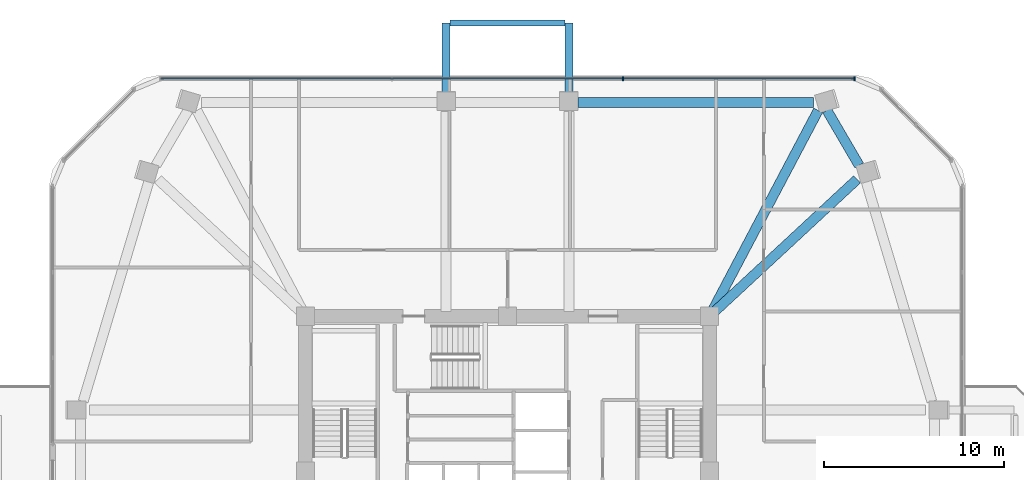
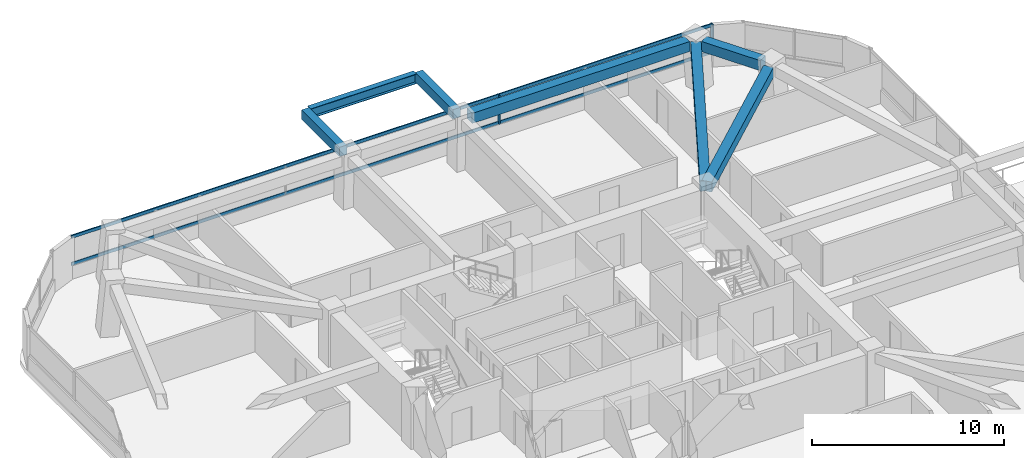
# One storey, part 7 of 14: 7 beams, 4 members, 1 element without a shape of its own.
"""IFC4 building model written with IfcOpenShell, lengths in metres."""

from ifc_helpers import new_model, si_unit, derived_unit, direction, frame, origin, origin_2d, place, context, subcontext, project, spatial, rectangle, i_section, extrude, material, material_profile, profile_set, type_object, element, aggregate, save


model = new_model("IFC4")

# Units and contexts
model_context = context("Model", 3, precision=1e-05, world=origin(), true_north=direction((0.0, 1.0)))
body_context = subcontext(model_context, "Body", "Model", "MODEL_VIEW")
ifc_project = project(units=[si_unit("LENGTHUNIT", "METRE"), si_unit("AREAUNIT", "SQUARE_METRE"), si_unit("VOLUMEUNIT", "CUBIC_METRE"), si_unit("PLANEANGLEUNIT", "RADIAN"), si_unit("MASSUNIT", "GRAM", prefix="KILO"), derived_unit("THERMALTRANSMITTANCEUNIT", [(si_unit("POWERUNIT", "WATT"), 1), (si_unit("LENGTHUNIT", "METRE"), -2), (si_unit("THERMODYNAMICTEMPERATUREUNIT", "KELVIN"), -1)])], contexts=[model_context])

# Site, building, storey
site_placement = place(None, origin())
site = spatial("IfcSite", under=ifc_project, at=site_placement, CompositionType="ELEMENT")
building_placement = place(site_placement, origin())
building = spatial("IfcBuilding", under=site, at=building_placement, Name="Koralith Skygarden Medical Center", CompositionType="ELEMENT")
storey_placement = place(building_placement, frame((0.0, 0.0, 106.3798828125)))
storey = spatial("IfcBuildingStorey", under=building, at=storey_placement, Name="L27", CompositionType="ELEMENT", Elevation=106.3798828125)

# Curtain wall, members
ifc_material_1 = material(Name="Clear Laminated Glass", Category="glass")
curtain_wall_type = type_object("IfcCurtainWallType", Name="CW-3 Zone 2 Faceted Solar Curtain Wall", PredefinedType="NOTDEFINED", material=ifc_material_1)
curtain_wall_placement = place(storey_placement, origin())
curtain_wall = element("IfcCurtainWall", 1, at=curtain_wall_placement, inside=storey, type_object=curtain_wall_type, Name="Curtain Wall CW-L27-N", PredefinedType="NOTDEFINED")
ifc_material_2 = material(Name="Aluminium 6063-T6", Category="aluminium")
ifc_material_profile_1 = material_profile(ifc_material_2, rectangle(XDim=0.073974609375, YDim=0.219970703125, at=origin_2d()), Name="MUL74X220")
ifc_profile_set_1 = profile_set([ifc_material_profile_1], Name="Aluminium 6063-T6")
member_type_1 = type_object("IfcMemberType", Name="CW-3 Extruded Mullion 74x220", PredefinedType="MULLION", material=ifc_profile_set_1)
member_1_placement = place(storey_placement, frame((56.23291015625, 47.677001953125, 0.85009765625), z_axis=(0.0, 0.0, 1.0), x_axis=(1.0, 0.0, 0.0)))
member_1 = element("IfcMember", 2, at=member_1_placement, type_object=member_type_1, Name="CW-L27-N Mullion 1", PredefinedType="MULLION", context=body_context, shape_type="SweptSolid", body=[
    extrude(rectangle(XDim=0.073974609375, YDim=0.219970703125, at=origin_2d()), origin(), (0.0, 0.0, 1.0), 1.820068359375),
])
member_2_placement = place(storey_placement, frame((43.410888671875, 47.677001953125, 0.85009765625), z_axis=(0.0, 0.0, 1.0), x_axis=(1.0, 0.0, 0.0)))
member_2 = element("IfcMember", 3, at=member_2_placement, type_object=member_type_1, Name="CW-L27-N Mullion 2", PredefinedType="MULLION", context=body_context, shape_type="SweptSolid", body=[
    extrude(rectangle(XDim=0.073974609375, YDim=0.219970703125, at=origin_2d()), origin(), (0.0, 0.0, 1.0), 1.820068359375),
])
ifc_material_profile_2 = material_profile(ifc_material_2, rectangle(XDim=0.069091796875, YDim=0.197998046875, at=origin_2d()), Name="TRN69X198")
ifc_profile_set_2 = profile_set([ifc_material_profile_2], Name="Aluminium 6063-T6")
member_type_2 = type_object("IfcMemberType", Name="CW-3 Thermal Transom 69x198", PredefinedType="USERDEFINED", material=ifc_profile_set_2)
member_3_placement = place(storey_placement, frame((56.23291015625, 47.677001953125, 0.900146484375), z_axis=(-1.0, 0.0, 0.0), x_axis=(0.0, -1.0, 0.0)))
member_3 = element("IfcMember", 4, at=member_3_placement, type_object=member_type_2, Name="CW-L27-N Transom 1", ObjectType="TRANSOM", PredefinedType="USERDEFINED", context=body_context, shape_type="SweptSolid", body=[
    extrude(rectangle(XDim=0.069091796875, YDim=0.197998046875, at=origin_2d()), origin(), (0.0, 0.0, 1.0), 38.4658203125),
])
member_4_placement = place(storey_placement, frame((56.23291015625, 47.677001953125, 2.6201171875), z_axis=(-1.0, 0.0, 0.0), x_axis=(0.0, -1.0, 0.0)))
member_4 = element("IfcMember", 5, at=member_4_placement, type_object=member_type_2, Name="CW-L27-N Transom 2", ObjectType="TRANSOM", PredefinedType="USERDEFINED", context=body_context, shape_type="SweptSolid", body=[
    extrude(rectangle(XDim=0.069091796875, YDim=0.197998046875, at=origin_2d()), origin(), (0.0, 0.0, 1.0), 38.4658203125),
])
aggregate(curtain_wall, [member_1, member_2, member_3, member_4])

# Beams
ifc_material_3 = material(Name="Steel ASTM A992 Grade 50", Category="steel")
ifc_material_profile_3 = material_profile(ifc_material_3, i_section(OverallWidth=0.326904296875, OverallDepth=0.6220703125, WebThickness=0.015380859375, FlangeThickness=0.0244140625, at=origin_2d()), Name="W24X131")
ifc_profile_set_3 = profile_set([ifc_material_profile_3], Name="Steel ASTM A992 Grade 50")
beam_type_1 = type_object("IfcBeamType", Name="Cantilever Tie Beam W24X131", PredefinedType="BEAM", material=ifc_profile_set_3)
beam_1_placement = place(storey_placement, frame((33.820068359375, 50.759033203125, 3.029052734375), z_axis=(1.0, 0.0, 0.0), x_axis=(0.0, 1.0, 0.0)))
element("IfcBeam", 6, at=beam_1_placement, inside=storey, type_object=beam_type_1, Name="L28 N Balcony Tip Tie Beam", PredefinedType="BEAM", context=body_context, shape_type="SweptSolid", body=[
    extrude(i_section(OverallWidth=0.326904296875, OverallDepth=0.6220703125, WebThickness=0.015380859375, FlangeThickness=0.0244140625, at=origin_2d()), origin(), (0.0, 0.0, 1.0), 6.35986328125),
])
ifc_material_4 = material(Name="Concrete C45/55", Category="concrete")
ifc_material_profile_4 = material_profile(ifc_material_4, rectangle(XDim=0.449951171875, YDim=0.60009765625, at=origin_2d()), Name="RCB450X600")
ifc_profile_set_4 = profile_set([ifc_material_profile_4], Name="Concrete C45/55")
beam_type_2 = type_object("IfcBeamType", Name="Planted Balcony Cantilever Beam RCB450X600", PredefinedType="BEAM", material=ifc_profile_set_4)
for number, where, z_axis, x_axis, name in (
    (7, (33.60009765625, 46.839111328125, 3.0400390625), (0.0, 1.0, 0.0), (-1.0, 0.0, 0.0), "L28 N Balcony Cantilever Beam A"),
    (8, (40.39990234375, 46.839111328125, 3.0400390625), (0.0, 1.0, 0.0), (-1.0, 0.0, 0.0), "L28 N Balcony Cantilever Beam B"),
):
    element("IfcBeam", number, at=place(storey_placement, frame(where, z_axis=z_axis, x_axis=x_axis)), inside=storey, type_object=beam_type_2, Name=name, PredefinedType="BEAM", context=body_context, shape_type="SweptSolid", body=[
        extrude(rectangle(XDim=0.449951171875, YDim=0.60009765625, at=origin_2d()), origin(), (0.0, 0.0, 1.0), 3.919921875),
    ])
ifc_material_profile_5 = material_profile(ifc_material_4, rectangle(XDim=0.550048828125, YDim=0.639892578125, at=origin_2d()), Name="RCB550X640")
ifc_profile_set_5 = profile_set([ifc_material_profile_5], Name="Concrete C45/55")
beam_type_3 = type_object("IfcBeamType", Name="Radial Collector Beam RCB550X640", PredefinedType="BEAM", material=ifc_profile_set_5)
beam_2_placement = place(storey_placement, frame((48.383056640625, 34.669921875, 3.0), z_axis=(0.733046147643, 0.680178906925, 0.0), x_axis=(-0.680178906925, 0.733046147643, 0.0)))
element("IfcBeam", 9, at=beam_2_placement, inside=storey, type_object=beam_type_3, Name="L27 Radial Collector Beam RB-10", PredefinedType="BEAM", context=body_context, shape_type="SweptSolid", body=[
    extrude(rectangle(XDim=0.550048828125, YDim=0.639892578125, at=origin_2d()), origin(), (0.0, 0.0, 1.0), 10.90771484375),
])
beam_3_placement = place(storey_placement, frame((48.31689453125, 34.720947265625, 3.0), z_axis=(0.466777909701, 0.884374571669, 0.0), x_axis=(-0.884374571669, 0.466777909701, 0.0)))
element("IfcBeam", 10, at=beam_3_placement, inside=storey, type_object=beam_type_3, Name="L27 Radial Collector Beam RB-11", PredefinedType="BEAM", context=body_context, shape_type="SweptSolid", body=[
    extrude(rectangle(XDim=0.550048828125, YDim=0.639892578125, at=origin_2d()), origin(), (0.0, 0.0, 1.0), 12.6484375),
])
ifc_material_profile_6 = material_profile(ifc_material_4, rectangle(XDim=0.550048828125, YDim=0.639892578125, at=origin_2d()), Name="RCB550X640")
ifc_profile_set_6 = profile_set([ifc_material_profile_6], Name="Concrete C45/55")
beam_type_4 = type_object("IfcBeamType", Name="Zone 2-3 Spandrel Beam RCB550X640", PredefinedType="SPANDREL", material=ifc_profile_set_6)
beam_4_placement = place(storey_placement, frame((56.493896484375, 42.861083984375, 3.0), z_axis=(-0.504972499237, 0.863135432603, 0.0), x_axis=(-0.863135432603, -0.504972499237, 0.0)))
element("IfcBeam", 11, at=beam_4_placement, inside=storey, type_object=beam_type_4, Name="L27 Perimeter Spandrel Beam SP-10", PredefinedType="SPANDREL", context=body_context, shape_type="SweptSolid", body=[
    extrude(rectangle(XDim=0.550048828125, YDim=0.639892578125, at=origin_2d()), origin(), (0.0, 0.0, 1.0), 3.54052734375),
])
beam_5_placement = place(storey_placement, frame((53.9541015625, 46.34912109375, 3.0), z_axis=(-1.0, 0.0, 0.0), x_axis=(0.0, -1.0, 0.0)))
element("IfcBeam", 12, at=beam_5_placement, inside=storey, type_object=beam_type_4, Name="L27 Perimeter Spandrel Beam SP-11", PredefinedType="SPANDREL", context=body_context, shape_type="SweptSolid", body=[
    extrude(rectangle(XDim=0.550048828125, YDim=0.639892578125, at=origin_2d()), origin(), (0.0, 0.0, 1.0), 13.05419921875),
])

save(model, "model.ifc")
